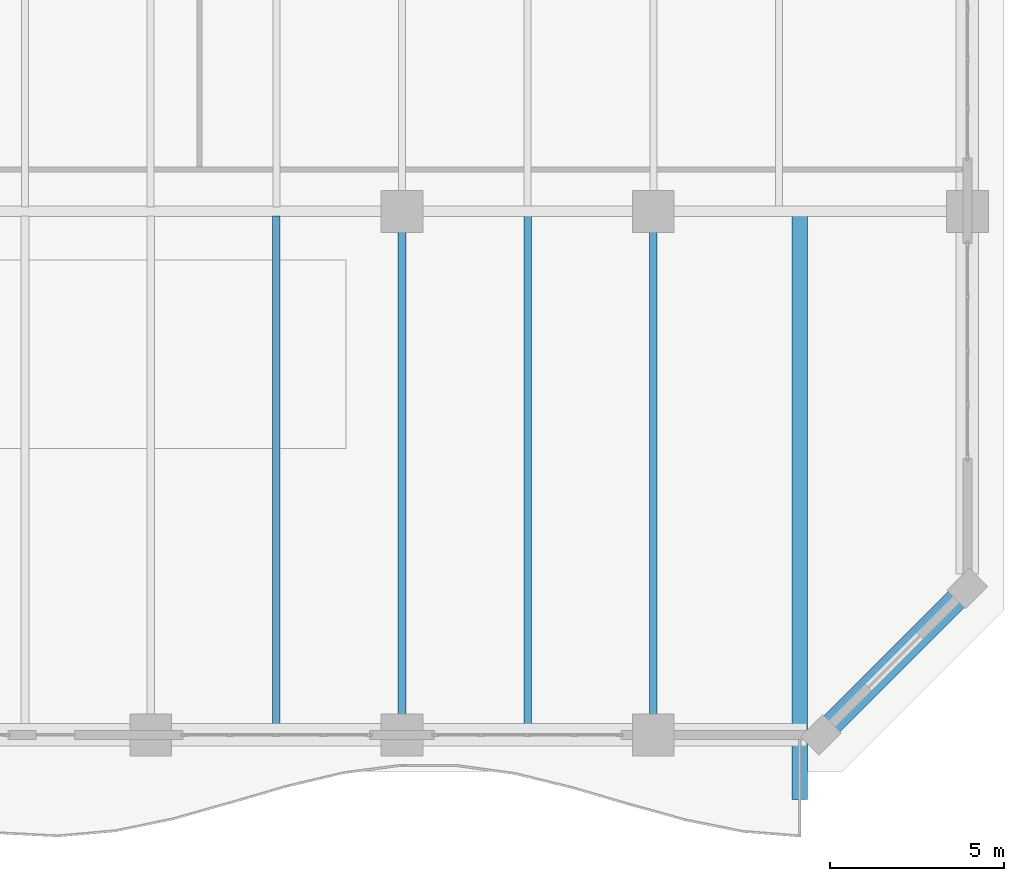
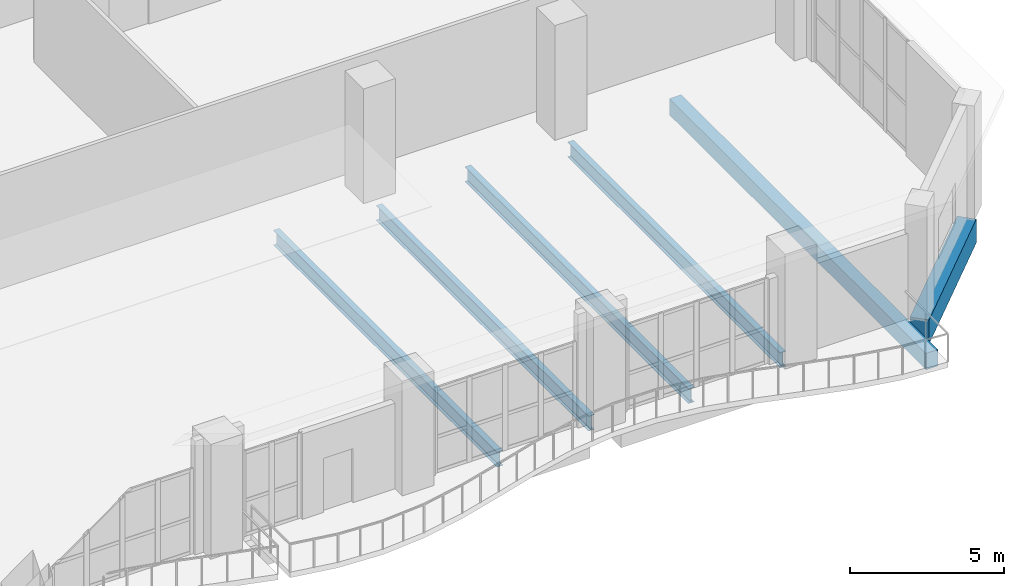
# One storey, part 19 of 37: 6 beams.
"""IFC4 building model written with IfcOpenShell, lengths in metres."""

from ifc_helpers import new_model, si_unit, direction, frame, origin, origin_2d, place, context, subcontext, project, spatial, rectangle, i_section, extrude, material, material_profile, profile_set, type_object, element, save


model = new_model("IFC4")

# Units and contexts
model_context = context("Model", 3, precision=1e-05, world=origin(), true_north=direction((0.0, 1.0)))
body_context = subcontext(model_context, "Body", "Model", "MODEL_VIEW")
ifc_project = project(units=[si_unit("LENGTHUNIT", "METRE"), si_unit("AREAUNIT", "SQUARE_METRE"), si_unit("VOLUMEUNIT", "CUBIC_METRE"), si_unit("PLANEANGLEUNIT", "RADIAN"), si_unit("MASSUNIT", "GRAM", prefix="KILO")], contexts=[model_context])

# Site, building, storey
site_placement = place(None, origin())
site = spatial("IfcSite", under=ifc_project, at=site_placement, CompositionType="ELEMENT")
building_placement = place(site_placement, origin())
building = spatial("IfcBuilding", under=site, at=building_placement, Name="Kaelvorn Grand Hotel", CompositionType="ELEMENT")
storey_placement = place(building_placement, frame((0.0, 0.0, 130.550048828125)))
storey = spatial("IfcBuildingStorey", under=building, at=storey_placement, Name="L31", CompositionType="ELEMENT", Elevation=130.550048828125)

# Beams
ifc_material_1 = material(Name="Steel S355", Category="steel")
ifc_material_profile_1 = material_profile(ifc_material_1, i_section(OverallWidth=0.219970703125, OverallDepth=0.60009765625, WebThickness=0.011962890625, FlangeThickness=0.01904296875, FilletRadius=0.02392578125, at=origin_2d()), Name="IPE 600")
ifc_profile_set_1 = profile_set([ifc_material_profile_1], Name="Steel S355")
beam_type_1 = type_object("IfcBeamType", Name="BM-J-IPE600-S355", PredefinedType="JOIST", material=ifc_profile_set_1)
beam_1_placement = place(storey_placement, frame((64.199951171875, 0.31005859375, -0.5400390625), z_axis=(0.0, 1.0, 0.0), x_axis=(-1.0, 0.0, 0.0)))
element("IfcBeam", 1, at=beam_1_placement, inside=storey, type_object=beam_type_1, Name="L31 Composite Floor Joist JS-18", PredefinedType="JOIST", context=body_context, shape_type="SweptSolid", body=[
    extrude(i_section(OverallWidth=0.219970703125, OverallDepth=0.60009765625, WebThickness=0.011962890625, FlangeThickness=0.01904296875, FilletRadius=0.02392578125, at=origin_2d()), origin(), (0.0, 0.0, 1.0), 14.558837890625),
])
beam_2_placement = place(storey_placement, frame((67.800048828125, 0.5849609375, -0.5400390625), z_axis=(0.0, 1.0, 0.0), x_axis=(-1.0, 0.0, 0.0)))
element("IfcBeam", 2, at=beam_2_placement, inside=storey, type_object=beam_type_1, Name="L31 Composite Floor Joist JS-19", PredefinedType="JOIST", context=body_context, shape_type="SweptSolid", body=[
    extrude(i_section(OverallWidth=0.219970703125, OverallDepth=0.60009765625, WebThickness=0.011962890625, FlangeThickness=0.01904296875, FilletRadius=0.02392578125, at=origin_2d()), origin(), (0.0, 0.0, 1.0), 13.830078125),
])
beam_3_placement = place(storey_placement, frame((71.39990234375, 0.31005859375, -0.5400390625), z_axis=(0.0, 1.0, 0.0), x_axis=(-1.0, 0.0, 0.0)))
element("IfcBeam", 3, at=beam_3_placement, inside=storey, type_object=beam_type_1, Name="L31 Composite Floor Joist JS-20", PredefinedType="JOIST", context=body_context, shape_type="SweptSolid", body=[
    extrude(i_section(OverallWidth=0.219970703125, OverallDepth=0.60009765625, WebThickness=0.011962890625, FlangeThickness=0.01904296875, FilletRadius=0.02392578125, at=origin_2d()), origin(), (0.0, 0.0, 1.0), 14.558837890625),
])
beam_4_placement = place(storey_placement, frame((75.0, 0.5849609375, -0.5400390625), z_axis=(0.0, 1.0, 0.0), x_axis=(-1.0, 0.0, 0.0)))
element("IfcBeam", 4, at=beam_4_placement, inside=storey, type_object=beam_type_1, Name="L31 Composite Floor Joist JS-21", PredefinedType="JOIST", context=body_context, shape_type="SweptSolid", body=[
    extrude(i_section(OverallWidth=0.219970703125, OverallDepth=0.60009765625, WebThickness=0.011962890625, FlangeThickness=0.01904296875, FilletRadius=0.02392578125, at=origin_2d()), origin(), (0.0, 0.0, 1.0), 13.830078125),
])
ifc_material_2 = material(Name="Concrete C40/50", Category="concrete")
ifc_material_profile_2 = material_profile(ifc_material_2, rectangle(XDim=0.449951171875, YDim=0.64990234375, at=origin_2d()), Name="RC RIB 450x650")
ifc_profile_set_2 = profile_set([ifc_material_profile_2], Name="Concrete C40/50")
beam_type_2 = type_object("IfcBeamType", Name="BM-RIB-450x650-C40", PredefinedType="SPANDREL", material=ifc_profile_set_2)
beam_5_placement = place(storey_placement, frame((79.199951171875, -1.85009765625, -0.545166015625), z_axis=(0.0, 1.0, 0.0), x_axis=(-1.0, 0.0, 0.0)))
element("IfcBeam", 5, at=beam_5_placement, inside=storey, type_object=beam_type_2, Name="L31 Cantilevered Balcony Back-Span Rib RB1-3", PredefinedType="SPANDREL", context=body_context, shape_type="SweptSolid", body=[
    extrude(rectangle(XDim=0.449951171875, YDim=0.64990234375, at=origin_2d()), origin(), (0.0, 0.0, 1.0), 16.718994140625),
])
ifc_material_3 = material(Name="Concrete C60/75", Category="concrete")
ifc_material_profile_3 = material_profile(ifc_material_3, rectangle(XDim=0.64990234375, YDim=0.949951171875, at=origin_2d()), Name="RC SPANDREL 650x950")
ifc_profile_set_3 = profile_set([ifc_material_profile_3], Name="Concrete C60/75")
beam_type_3 = type_object("IfcBeamType", Name="BM-SP-650x950-C60", PredefinedType="SPANDREL", material=ifc_profile_set_3)
beam_6_placement = place(storey_placement, frame((79.800048828125, 0.0, -0.715087890625), z_axis=(0.707106781187, 0.707106781187, 0.0), x_axis=(-0.707106781187, 0.707106781187, 0.0)))
element("IfcBeam", 6, at=beam_6_placement, inside=storey, type_object=beam_type_3, Name="L31 Chamfer Spandrel Beam 1", PredefinedType="SPANDREL", context=body_context, shape_type="SweptSolid", body=[
    extrude(rectangle(XDim=0.64990234375, YDim=0.949951171875, at=origin_2d()), origin(), (0.0, 0.0, 1.0), 5.939697265625),
])

save(model, "model.ifc")
